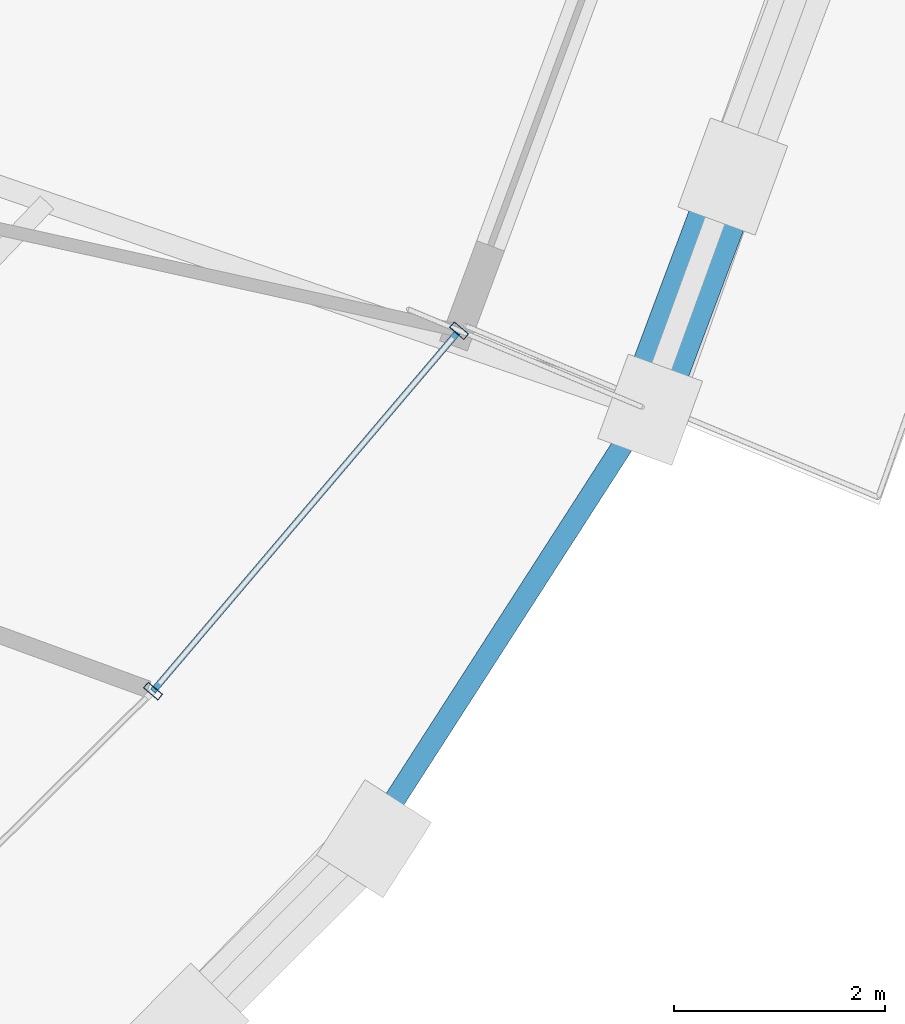
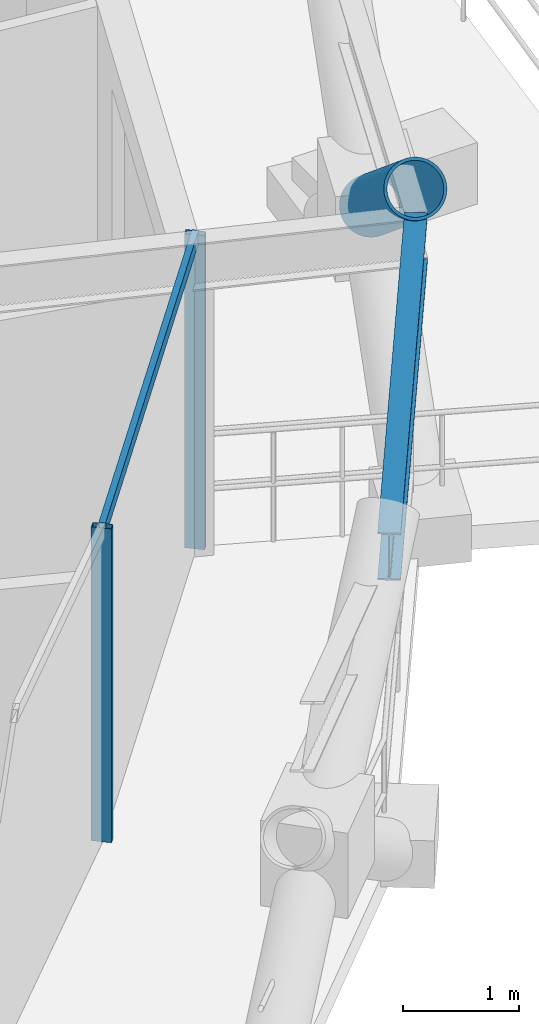
# One storey, part 6 of 14: 4 members, 1 beam, 1 element without a shape of its own.
"""IFC4 building model written with IfcOpenShell, lengths in metres."""

import ifcopenshell
import ifcopenshell.guid

model = None  # the IFC model being written
_history = None  # IfcOwnerHistory: only IFC2X3 demands one
_inside = {}  # id of a spatial element -> (the spatial element, [elements in it])
_under = {}  # id of a project, library or spatial element -> (it, [spatial elements below it])
_declared = {}  # id of a project -> (the project, [libraries it declares])
_typed = {}  # id of a type object -> (the type object, [elements of that type])
_made_of = {}  # id of a material, layer set ... -> (it, [elements and type objects made of it])


def new_model(schema):
    """Start an empty IFC model of exactly this schema.

    Asked for "IFC4X3", IfcOpenShell would pick the latest addendum, in which some entities
    have other attributes; the version numbers below select the first issue.
    IFC2X3 requires an IfcOwnerHistory on every rooted entity: one is made here for all.
    """
    global model, _history
    if schema == "IFC4X3":
        model = ifcopenshell.file(schema_version=(4, 3, 0, 0))
    else:
        model = ifcopenshell.file(schema=schema)
    _inside.clear()
    _under.clear()
    _declared.clear()
    _typed.clear()
    _made_of.clear()
    _history = None
    if model.schema == "IFC2X3":
        org = make("IfcOrganization", Name="unknown")
        user = make(
            "IfcPersonAndOrganization",
            ThePerson=make("IfcPerson", FamilyName="unknown"),
            TheOrganization=org,
        )
        app = make(
            "IfcApplication",
            ApplicationDeveloper=org,
            Version="unknown",
            ApplicationFullName="unknown",
            ApplicationIdentifier="unknown",
        )
        _history = make(
            "IfcOwnerHistory",
            OwningUser=user,
            OwningApplication=app,
            ChangeAction="ADDED",
            CreationDate=0,
        )
    return model


def make(cls, **values):
    """One entity of the class cls with the attributes given. An attribute that is None is left unset."""
    return model.create_entity(
        cls, **{name: value for name, value in values.items() if value is not None}
    )


def rooted(cls, **values):
    """An entity with a GlobalId (a new one), such as an element, a storey or a relation."""
    return make(cls, GlobalId=ifcopenshell.guid.new(), OwnerHistory=_history, **values)


def si_unit(unit_type, name, prefix=None):
    """IfcSIUnit, for example si_unit("LENGTHUNIT", "METRE", prefix="MILLI")."""
    return make("IfcSIUnit", UnitType=unit_type, Prefix=prefix, Name=name)


def assignment(units):
    """IfcUnitAssignment: the units of a project."""
    return None if units is None else make("IfcUnitAssignment", Units=units)


def point(xyz):
    """IfcCartesianPoint."""
    return None if xyz is None else make("IfcCartesianPoint", Coordinates=xyz)


def direction(xyz):
    """IfcDirection."""
    return None if xyz is None else make("IfcDirection", DirectionRatios=xyz)


def frame(location, z_axis=None, x_axis=None):
    """IfcAxis2Placement3D, a coordinate frame: its origin and axes. An axis left out is left unset."""
    return make(
        "IfcAxis2Placement3D",
        Location=point(location),
        Axis=direction(z_axis),
        RefDirection=direction(x_axis),
    )


def frame_2d(location, x_axis=None):
    """IfcAxis2Placement2D, a coordinate frame in the plane: its origin and x axis."""
    return make(
        "IfcAxis2Placement2D", Location=point(location), RefDirection=direction(x_axis)
    )


def origin():
    """The frame at (0, 0, 0) with its axes left unset."""
    return frame((0.0, 0.0, 0.0))


def origin_2d():
    """The frame at (0, 0) in the plane with its x axis left unset."""
    return frame_2d((0.0, 0.0))


def place(relative_to, where):
    """IfcLocalPlacement: puts the frame where relative to a parent placement (None: the world)."""
    return make(
        "IfcLocalPlacement", PlacementRelTo=relative_to, RelativePlacement=where
    )


def context(
    kind, dimensions, precision=None, world=None, true_north=None, identifier=None
):
    """IfcGeometricRepresentationContext, for example the 3D "Model" context."""
    return make(
        "IfcGeometricRepresentationContext",
        ContextIdentifier=identifier,
        ContextType=kind,
        CoordinateSpaceDimension=dimensions,
        Precision=precision,
        WorldCoordinateSystem=world,
        TrueNorth=true_north,
    )


def subcontext(parent, identifier, kind, view, scale=None):
    """IfcGeometricRepresentationSubContext, for example "Body" below "Model"."""
    return make(
        "IfcGeometricRepresentationSubContext",
        ContextIdentifier=identifier,
        ContextType=kind,
        ParentContext=parent,
        TargetScale=scale,
        TargetView=view,
    )


def project(units=None, contexts=None):
    """IfcProject with its units and contexts."""
    return rooted(
        "IfcProject",
        Name="project",
        RepresentationContexts=contexts,
        UnitsInContext=assignment(units),
    )


def spatial(cls, under=None, at=None, **own):
    """A site, building, storey or space (cls), placed at a placement, below another one or the project."""
    s = rooted(cls, ObjectPlacement=at, **own)
    if under is not None:
        _under.setdefault(under.id(), (under, []))[1].append(s)
    return s


def profile(cls, at=None, kind="AREA", **sizes):
    """A parametric profile (cls). Its sizes go by their IFC names, for example OverallWidth=200.0."""
    return make(cls, ProfileType=kind, Position=at, **sizes)


def hollow_rectangle(**sizes):
    """IfcRectangleHollowProfileDef."""
    return profile("IfcRectangleHollowProfileDef", **sizes)


def hollow_circle(**sizes):
    """IfcCircleHollowProfileDef."""
    return profile("IfcCircleHollowProfileDef", **sizes)


def i_section(**sizes):
    """IfcIShapeProfileDef."""
    return profile("IfcIShapeProfileDef", **sizes)


def extrude(swept, where, along, depth):
    """IfcExtrudedAreaSolid: the profile swept, set in the frame where, extruded along a direction by depth."""
    return make(
        "IfcExtrudedAreaSolid",
        SweptArea=swept,
        Position=where,
        ExtrudedDirection=direction(along),
        Depth=depth,
    )


def shape(context_of_items, identifier, shape_type, items):
    """IfcShapeRepresentation: the items that make up one representation, for example the "Body"."""
    return make(
        "IfcShapeRepresentation",
        ContextOfItems=context_of_items,
        RepresentationIdentifier=identifier,
        RepresentationType=shape_type,
        Items=items,
    )


def material(Name=None, Category=None):
    """IfcMaterial."""
    return make("IfcMaterial", Name=Name, Category=Category)


def layer(
    of_material, thickness, ventilated=None, Name=None, Category=None, Priority=None
):
    """IfcMaterialLayer: one layer of a wall or slab, of a material (None: an air gap)."""
    return make(
        "IfcMaterialLayer",
        Material=of_material,
        LayerThickness=thickness,
        IsVentilated=ventilated,
        Name=Name,
        Category=Category,
        Priority=Priority,
    )


def layer_set(layers, Name=None):
    """IfcMaterialLayerSet."""
    return make("IfcMaterialLayerSet", MaterialLayers=layers, LayerSetName=Name)


def material_profile(
    of_material, cross_section, Name=None, Category=None, Priority=None
):
    """IfcMaterialProfile: a cross section and its material."""
    return make(
        "IfcMaterialProfile",
        Name=Name,
        Material=of_material,
        Profile=cross_section,
        Priority=Priority,
        Category=Category,
    )


def profile_set(profiles, Name=None, composite=None):
    """IfcMaterialProfileSet."""
    return make(
        "IfcMaterialProfileSet",
        Name=Name,
        MaterialProfiles=profiles,
        CompositeProfile=composite,
    )


def made_of(thing, what):
    """Note that an element or type object is made of a material, layer set ...; save() writes the relation."""
    if what is not None:
        _made_of.setdefault(what.id(), (what, []))[1].append(thing)
    return thing


def type_object(cls, material=None, **own):
    """A type object (cls), such as IfcWallType, which elements share."""
    return made_of(rooted(cls, **own), material)


def element(
    cls,
    number,
    at=None,
    inside=None,
    cuts=None,
    type_object=None,
    material=None,
    context=None,
    identifier="Body",
    shape_type=None,
    held_by="IfcProductDefinitionShape",
    body=None,
    shapes=None,
    **own,
):
    """One element of the class cls, such as IfcWall. Its Tag is "e" and its number.

    at: its placement. inside: the storey or other place that contains it. cuts: it is an
    opening in that element (IfcRelVoidsElement). A single representation is given by context,
    identifier, shape_type and body (its items); several are given by shapes. held_by: the class
    of the entity that holds the representations. save() writes the other relations.
    """
    e = rooted(cls, Tag="e%d" % number, ObjectPlacement=at, **own)
    if body is not None:
        shapes = [shape(context, identifier, shape_type, body)]
    if shapes is not None:
        e.Representation = make(held_by, Representations=shapes)
    if inside is not None:
        _inside.setdefault(inside.id(), (inside, []))[1].append(e)
    if cuts is not None:
        rooted(
            "IfcRelVoidsElement", RelatingBuildingElement=cuts, RelatedOpeningElement=e
        )
    if type_object is not None:
        _typed.setdefault(type_object.id(), (type_object, []))[1].append(e)
    return made_of(e, material)


def aggregate(whole, parts):
    """IfcRelAggregates: a whole, such as a stair, and the parts it consists of."""
    return rooted("IfcRelAggregates", RelatingObject=whole, RelatedObjects=parts)


def save(model, path):
    """Write the relations noted so far, then the file.

    IfcRelAggregates (storeys below a building ...), IfcRelContainedInSpatialStructure (elements
    in a storey), IfcRelDefinesByType, IfcRelAssociatesMaterial and IfcRelDeclares: one each for
    every whole, place, type object, material and project.
    """
    for whole, parts in _under.values():
        aggregate(whole, parts)
    for where, things in _inside.values():
        rooted(
            "IfcRelContainedInSpatialStructure",
            RelatedElements=things,
            RelatingStructure=where,
        )
    for kind, things in _typed.values():
        rooted("IfcRelDefinesByType", RelatedObjects=things, RelatingType=kind)
    for what, things in _made_of.values():
        rooted("IfcRelAssociatesMaterial", RelatedObjects=things, RelatingMaterial=what)
    for by, libraries in _declared.values():
        rooted("IfcRelDeclares", RelatingContext=by, RelatedDefinitions=libraries)
    model.write(path)


model = new_model("IFC4")

# Units and contexts
model_context = context("Model", 3, precision=1e-05, world=origin(), true_north=direction((0.0, 1.0)))
body_context = subcontext(model_context, "Body", "Model", "MODEL_VIEW")
ifc_project = project(units=[si_unit("LENGTHUNIT", "METRE"), si_unit("AREAUNIT", "SQUARE_METRE"), si_unit("VOLUMEUNIT", "CUBIC_METRE"), si_unit("PLANEANGLEUNIT", "RADIAN"), si_unit("MASSUNIT", "GRAM", prefix="KILO")], contexts=[model_context])

# Site, building, storey
site_placement = place(None, origin())
site = spatial("IfcSite", under=ifc_project, at=site_placement, CompositionType="ELEMENT")
building_placement = place(site_placement, origin())
building = spatial("IfcBuilding", under=site, at=building_placement, Name="Veldorina Hangang Commons", CompositionType="ELEMENT")
storey_placement = place(building_placement, frame((0.0, 0.0, 149.60009765625)))
storey = spatial("IfcBuildingStorey", under=building, at=storey_placement, Name="L38", CompositionType="ELEMENT", Elevation=149.60009765625)

# Beam
ifc_material_1 = material(Name="Steel SM420-TMC", Category="steel")
ifc_material_profile_1 = material_profile(ifc_material_1, i_section(OverallWidth=0.199951171875, OverallDepth=0.5, WebThickness=0.010009765625, FlangeThickness=0.01611328125, FilletRadius=0.01611328125, at=origin_2d()), Name="H-500x200x10x16")
ifc_profile_set_1 = profile_set([ifc_material_profile_1], Name="Steel SM420-TMC")
beam_type = type_object("IfcBeamType", Name="BM-RB500", PredefinedType="BEAM", material=ifc_profile_set_1)
beam_placement = place(storey_placement, frame((55.519775390625, 10.943603515625, 3.099853515625), z_axis=(0.541064041237, 0.840981392945, 0.0), x_axis=(-0.840981392945, 0.541064041237, 0.0)))
element("IfcBeam", 1, at=beam_placement, inside=storey, type_object=beam_type, Name="L38 perimeter hoop ring beam 29", PredefinedType="BEAM", context=body_context, shape_type="SweptSolid", body=[
    extrude(i_section(OverallWidth=0.199951171875, OverallDepth=0.5, WebThickness=0.010009765625, FlangeThickness=0.01611328125, FilletRadius=0.01611328125, at=origin_2d()), origin(), (0.0, 0.0, 1.0), 4.831298828125),
])

# Curtain wall, members
ifc_material_2 = material(Name="Glass Low-E Triple IGU", Category="glass")
ifc_layer = layer(ifc_material_2, 0.179931640625)
ifc_layer_set = layer_set([ifc_layer], Name="Glass Low-E Triple IGU")
curtain_wall_type = type_object("IfcCurtainWallType", Name="CW-SYS-Z2", PredefinedType="NOTDEFINED", material=ifc_layer_set)
curtain_wall_placement = place(storey_placement, origin())
curtain_wall = element("IfcCurtainWall", 2, at=curtain_wall_placement, inside=storey, type_object=curtain_wall_type, Name="L38 unitised curtain wall CW-L38-R2", PredefinedType="NOTDEFINED")
ifc_material_3 = material(Name="Aluminium Anodized AA6063-T6", Category="aluminium")
ifc_material_profile_2 = material_profile(ifc_material_3, hollow_rectangle(XDim=0.070068359375, YDim=0.179931640625, WallThickness=0.00390625, at=origin_2d()), Name="ALU-RHS-180x70x4")
ifc_profile_set_2 = profile_set([ifc_material_profile_2], Name="Aluminium Anodized AA6063-T6")
member_type_1 = type_object("IfcMemberType", Name="CW-MUL-180", PredefinedType="MULLION", material=ifc_profile_set_2)
member_1_placement = place(storey_placement, frame((53.456787109375, 12.32861328125, 0.0), z_axis=(0.0, 0.0, 1.0), x_axis=(0.647268850452, 0.762261789174, 0.0)))
member_1 = element("IfcMember", 3, at=member_1_placement, type_object=member_type_1, Name="CW-L38-R2 vertical mullion 2", PredefinedType="MULLION", context=body_context, shape_type="SweptSolid", body=[
    extrude(hollow_rectangle(XDim=0.070068359375, YDim=0.179931640625, WallThickness=0.00390625, at=origin_2d()), origin(), (0.0, 0.0, 1.0), 3.309814453125),
])
member_2_placement = place(storey_placement, frame((56.35888671875, 15.746337890625, 0.0), z_axis=(0.0, 0.0, 1.0), x_axis=(-0.647268850452, -0.762261789174, 0.0)))
member_2 = element("IfcMember", 4, at=member_2_placement, type_object=member_type_1, Name="CW-L38-R2 vertical mullion 3", PredefinedType="MULLION", context=body_context, shape_type="SweptSolid", body=[
    extrude(hollow_rectangle(XDim=0.070068359375, YDim=0.179931640625, WallThickness=0.00390625, at=origin_2d()), origin(), (0.0, 0.0, 1.0), 3.309814453125),
])
ifc_material_profile_3 = material_profile(ifc_material_3, hollow_rectangle(XDim=0.06005859375, YDim=0.139892578125, WallThickness=0.00341796875, at=origin_2d()), Name="ALU-RHS-140x60x3.5")
ifc_profile_set_3 = profile_set([ifc_material_profile_3], Name="Aluminium Anodized AA6063-T6")
member_type_2 = type_object("IfcMemberType", Name="CW-TRN-140", PredefinedType="USERDEFINED", material=ifc_profile_set_3)
member_3_placement = place(storey_placement, frame((53.456787109375, 12.32861328125, 3.27001953125), z_axis=(0.647264253641, 0.762265692498, 0.0), x_axis=(-0.762265692498, 0.647264253641, 0.0)))
member_3 = element("IfcMember", 5, at=member_3_placement, type_object=member_type_2, Name="CW-L38-R2 facet 2 transom 1", ObjectType="TRANSOM", PredefinedType="USERDEFINED", context=body_context, shape_type="SweptSolid", body=[
    extrude(hollow_rectangle(XDim=0.06005859375, YDim=0.139892578125, WallThickness=0.00341796875, at=origin_2d()), origin(), (0.0, 0.0, 1.0), 4.483642578125),
])
aggregate(curtain_wall, [member_1, member_2, member_3])

# Member
ifc_material_profile_4 = material_profile(ifc_material_1, hollow_circle(Radius=0.27490234375, WallThickness=0.028076171875, at=origin_2d()), Name="CHS-550x28")
ifc_profile_set_4 = profile_set([ifc_material_profile_4], Name="Steel SM420-TMC")
member_type_3 = type_object("IfcMemberType", Name="DG-CHS550", PredefinedType="BRACE", material=ifc_profile_set_4)
member_4_placement = place(storey_placement, frame((58.953857421875, 17.207763671875, 1.801025390625), z_axis=(-0.27912560826, -0.743317352886, 0.607921218344), x_axis=(0.936171074881, -0.351544760387, 0.0)))
element("IfcMember", 6, at=member_4_placement, inside=storey, type_object=member_type_3, Name="L38 split perimeter diagrid upper brace 31", PredefinedType="BRACE", context=body_context, shape_type="SweptSolid", body=[
    extrude(hollow_circle(Radius=0.27490234375, WallThickness=0.028076171875, at=origin_2d()), origin(), (0.0, 0.0, 1.0), 2.958984375),
])

save(model, "model.ifc")
